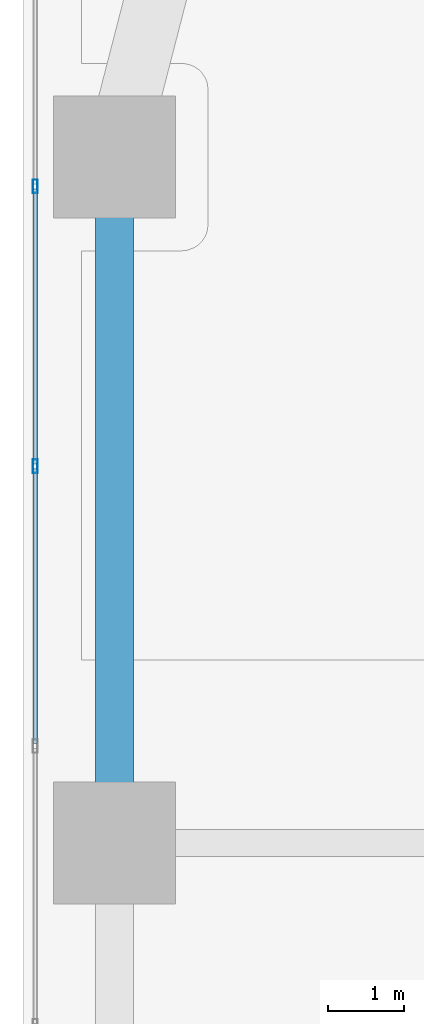
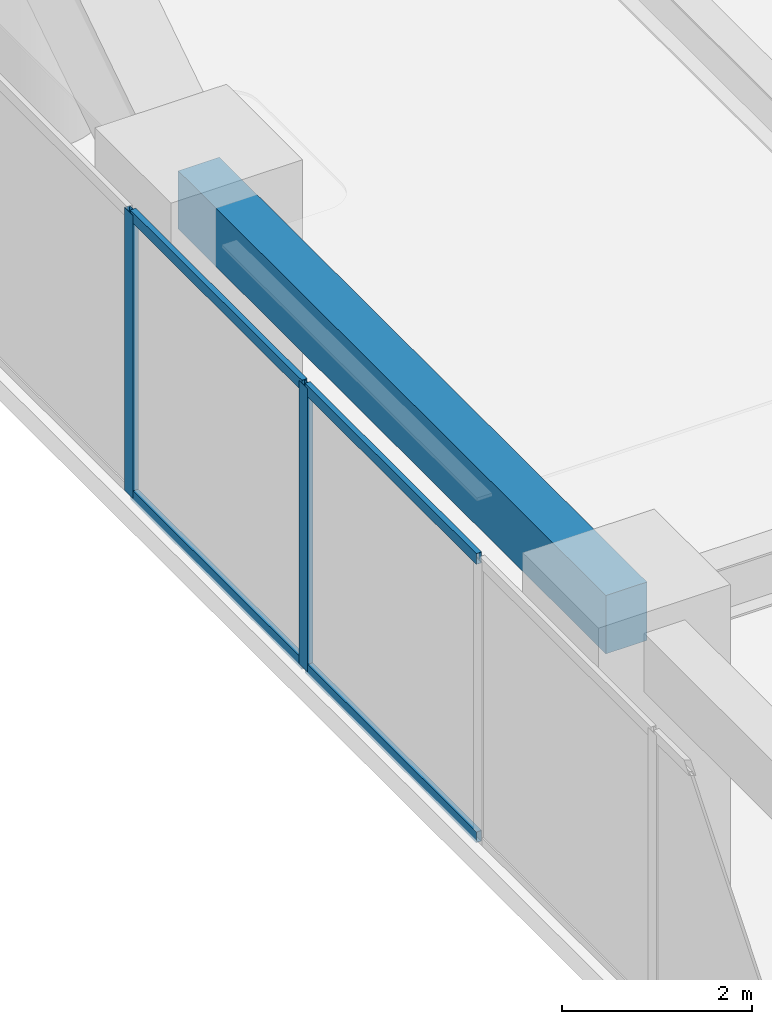
# One storey, part 12 of 29: 6 members, 1 beam, 1 element without a shape of its own.
"""IFC4 building model written with IfcOpenShell, lengths in metres."""

from ifc_helpers import new_model, si_unit, direction, frame, origin, origin_2d, place, context, subcontext, project, spatial, rectangle, hollow_rectangle, extrude, material, layer, layer_set, material_profile, profile_set, type_object, element, aggregate, save


model = new_model("IFC4")

# Units and contexts
model_context = context("Model", 3, precision=1e-05, world=origin(), true_north=direction((0.0, 1.0)))
body_context = subcontext(model_context, "Body", "Model", "MODEL_VIEW")
ifc_project = project(units=[si_unit("LENGTHUNIT", "METRE"), si_unit("AREAUNIT", "SQUARE_METRE"), si_unit("VOLUMEUNIT", "CUBIC_METRE"), si_unit("PLANEANGLEUNIT", "RADIAN"), si_unit("MASSUNIT", "GRAM", prefix="KILO")], contexts=[model_context])

# Site, building, storey
site_placement = place(None, origin())
site = spatial("IfcSite", under=ifc_project, at=site_placement, CompositionType="ELEMENT")
building_placement = place(site_placement, origin())
building = spatial("IfcBuilding", under=site, at=building_placement, Name="Kiyonajd Concourse Tower", CompositionType="ELEMENT")
storey_placement = place(building_placement, frame((0.0, 0.0, 29.39990234375)))
storey = spatial("IfcBuildingStorey", under=building, at=storey_placement, Name="L08", CompositionType="ELEMENT", Elevation=29.39990234375)

# Beam
ifc_material_1 = material(Name="Precast concrete C50/60", Category="concrete")
ifc_material_profile_1 = material_profile(ifc_material_1, rectangle(XDim=0.5, YDim=0.75, at=origin_2d()), Name="RCBM-500x750")
ifc_profile_set_1 = profile_set([ifc_material_profile_1], Name="Precast concrete C50/60")
beam_type = type_object("IfcBeamType", Name="BM-SPAN-RC", PredefinedType="SPANDREL", material=ifc_profile_set_1)
beam_placement = place(storey_placement, frame((19.199951171875, 53.39990234375, 3.26513671875), z_axis=(0.0, -1.0, 0.0), x_axis=(1.0, 0.0, 0.0)))
element("IfcBeam", 1, at=beam_placement, inside=storey, type_object=beam_type, Name="L08 Perimeter Bundled Tube Spandrel", PredefinedType="SPANDREL", context=body_context, shape_type="SweptSolid", body=[
    extrude(rectangle(XDim=0.5, YDim=0.75, at=origin_2d()), origin(), (0.0, 0.0, 1.0), 9.0),
])

# Curtain wall, members
ifc_material_2 = material(Name="Thermally Broken Anodised Aluminium", Category="aluminium")
ifc_layer = layer(ifc_material_2, 0.179931640625)
ifc_layer_set = layer_set([ifc_layer], Name="Thermally Broken Anodised Aluminium")
curtain_wall_type = type_object("IfcCurtainWallType", Name="CW-SYS-02", PredefinedType="NOTDEFINED", material=ifc_layer_set)
curtain_wall_placement = place(storey_placement, origin())
curtain_wall = element("IfcCurtainWall", 2, at=curtain_wall_placement, inside=storey, type_object=curtain_wall_type, Name="L08 Unitised Curtain Wall CW2", PredefinedType="NOTDEFINED")
ifc_material_profile_2 = material_profile(ifc_material_2, hollow_rectangle(XDim=0.06494140625, YDim=0.179931640625, WallThickness=0.00390625, at=origin_2d()), Name="MULL-65x180")
ifc_profile_set_2 = profile_set([ifc_material_profile_2], Name="Thermally Broken Anodised Aluminium")
member_type_1 = type_object("IfcMemberType", Name="MB-CW-MULL1", PredefinedType="MULLION", material=ifc_profile_set_2)
member_1_placement = place(storey_placement, frame((18.159912109375, 49.342529296875, 0.0), z_axis=(0.0, 0.0, 1.0), x_axis=(-1.0, 0.0, 0.0)))
member_1 = element("IfcMember", 3, at=member_1_placement, type_object=member_type_1, Name="CW2 mullion 5", PredefinedType="MULLION", context=body_context, shape_type="SweptSolid", body=[
    extrude(hollow_rectangle(XDim=0.06494140625, YDim=0.179931640625, WallThickness=0.00390625, at=origin_2d()), origin(), (0.0, 0.0, 1.0), 3.64013671875),
])
member_2_placement = place(storey_placement, frame((18.159912109375, 53.015869140625, 0.0), z_axis=(0.0, 0.0, 1.0), x_axis=(-1.0, 0.0, 0.0)))
member_2 = element("IfcMember", 4, at=member_2_placement, type_object=member_type_1, Name="CW2 mullion 6", PredefinedType="MULLION", context=body_context, shape_type="SweptSolid", body=[
    extrude(hollow_rectangle(XDim=0.06494140625, YDim=0.179931640625, WallThickness=0.00390625, at=origin_2d()), origin(), (0.0, 0.0, 1.0), 3.64013671875),
])
ifc_material_profile_3 = material_profile(ifc_material_2, hollow_rectangle(XDim=0.06494140625, YDim=0.139892578125, WallThickness=0.00390625, at=origin_2d()), Name="TRAN-65x140")
ifc_profile_set_3 = profile_set([ifc_material_profile_3], Name="Thermally Broken Anodised Aluminium")
member_type_2 = type_object("IfcMemberType", Name="MB-CW-TRAN1", PredefinedType="USERDEFINED", material=ifc_profile_set_3)
member_3_placement = place(storey_placement, frame((18.159912109375, 45.701904296875, 0.03271484375), z_axis=(0.0, 1.0, 0.0), x_axis=(-1.0, 0.0, 0.0)))
member_3 = element("IfcMember", 5, at=member_3_placement, type_object=member_type_2, Name="CW2 transom 4.1", ObjectType="TRANSOM", PredefinedType="USERDEFINED", context=body_context, shape_type="SweptSolid", body=[
    extrude(hollow_rectangle(XDim=0.06494140625, YDim=0.139892578125, WallThickness=0.00390625, at=origin_2d()), origin(), (0.0, 0.0, 1.0), 3.608154296875),
])
member_4_placement = place(storey_placement, frame((18.159912109375, 45.701904296875, 3.607666015625), z_axis=(0.0, 1.0, 0.0), x_axis=(-1.0, 0.0, 0.0)))
member_4 = element("IfcMember", 6, at=member_4_placement, type_object=member_type_2, Name="CW2 transom 4.2", ObjectType="TRANSOM", PredefinedType="USERDEFINED", context=body_context, shape_type="SweptSolid", body=[
    extrude(hollow_rectangle(XDim=0.06494140625, YDim=0.139892578125, WallThickness=0.00390625, at=origin_2d()), origin(), (0.0, 0.0, 1.0), 3.608154296875),
])
member_5_placement = place(storey_placement, frame((18.159912109375, 49.375, 0.03271484375), z_axis=(0.0, 1.0, 0.0), x_axis=(-1.0, 0.0, 0.0)))
member_5 = element("IfcMember", 7, at=member_5_placement, type_object=member_type_2, Name="CW2 transom 5.1", ObjectType="TRANSOM", PredefinedType="USERDEFINED", context=body_context, shape_type="SweptSolid", body=[
    extrude(hollow_rectangle(XDim=0.06494140625, YDim=0.139892578125, WallThickness=0.00390625, at=origin_2d()), origin(), (0.0, 0.0, 1.0), 3.608154296875),
])
member_6_placement = place(storey_placement, frame((18.159912109375, 49.375, 3.607666015625), z_axis=(0.0, 1.0, 0.0), x_axis=(-1.0, 0.0, 0.0)))
member_6 = element("IfcMember", 8, at=member_6_placement, type_object=member_type_2, Name="CW2 transom 5.2", ObjectType="TRANSOM", PredefinedType="USERDEFINED", context=body_context, shape_type="SweptSolid", body=[
    extrude(hollow_rectangle(XDim=0.06494140625, YDim=0.139892578125, WallThickness=0.00390625, at=origin_2d()), origin(), (0.0, 0.0, 1.0), 3.608154296875),
])
aggregate(curtain_wall, [member_1, member_2, member_3, member_4, member_5, member_6])

save(model, "model.ifc")
